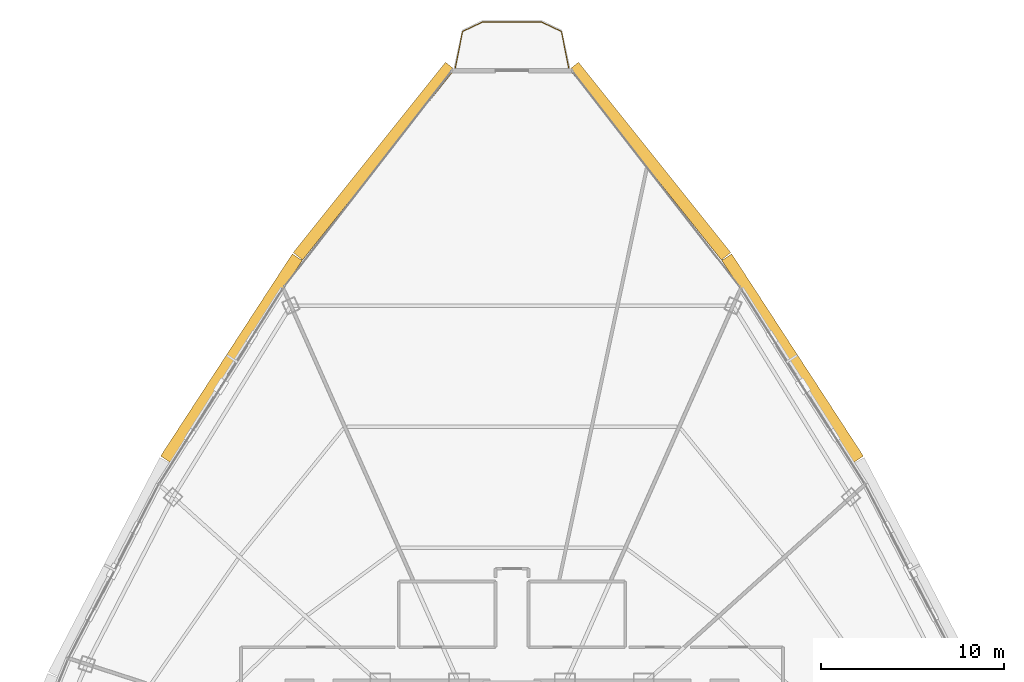
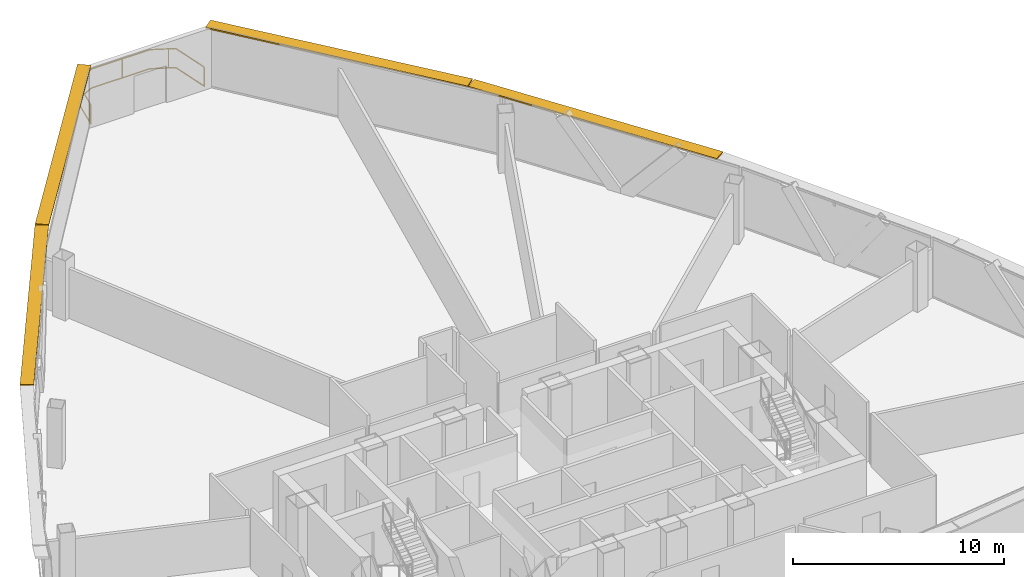
# One storey, part 33 of 33: 4 shading devices, 1 railing.
"""IFC4 building model written with IfcOpenShell, lengths in metres."""

from ifc_helpers import new_model, si_unit, direction, frame, origin, origin_2d, place, context, subcontext, project, spatial, rectangle, extrude, source, transform, mapped, material, layer, layer_set, type_object, element, save


model = new_model("IFC4")

# Units and contexts
model_context = context("Model", 3, precision=1e-05, world=origin(), true_north=direction((0.0, 1.0)))
body_context = subcontext(model_context, "Body", "Model", "MODEL_VIEW")
ifc_project = project(units=[si_unit("LENGTHUNIT", "METRE"), si_unit("AREAUNIT", "SQUARE_METRE"), si_unit("VOLUMEUNIT", "CUBIC_METRE"), si_unit("PLANEANGLEUNIT", "RADIAN"), si_unit("MASSUNIT", "GRAM", prefix="KILO"), si_unit("THERMODYNAMICTEMPERATUREUNIT", "KELVIN"), si_unit("POWERUNIT", "WATT")], contexts=[model_context])

# Site, building, storey
site_placement = place(None, origin())
site = spatial("IfcSite", under=ifc_project, at=site_placement, CompositionType="ELEMENT")
building_placement = place(site_placement, origin())
building = spatial("IfcBuilding", under=site, at=building_placement, Name="Yunzhuo Pagoda Commons", CompositionType="ELEMENT")
storey_placement = place(building_placement, frame((0.0, 0.0, 311.1298828125)))
storey = spatial("IfcBuildingStorey", under=building, at=storey_placement, Name="L78", CompositionType="ELEMENT", Elevation=311.1298828125)

# Railing
ifc_material = material(Name="Anodized aluminium 6063-T6", Category="aluminium")
railing_type = type_object("IfcRailingType", Name="RL-BAL1 Exterior Terrace & Balcony Balustrade 1150", PredefinedType="BALUSTRADE", material=ifc_material)
railing_placement = place(storey_placement, frame((51.110595703125, 73.916015625, 0.0)))
element("IfcRailing", 1, at=railing_placement, inside=storey, type_object=railing_type, Name="L78 corner balcony balustrade V3", PredefinedType="BALUSTRADE", context=body_context, shape_type="SweptSolid", body=[
    extrude(rectangle(XDim=0.048095703125, YDim=0.048095703125, at=origin_2d()), frame((0.0, 0.0, 1.1259765625), z_axis=(-0.194223156668, 0.980957371864, 0.0), x_axis=(-0.980957371864, -0.194223156668, 0.0)), (0.0, 0.0, 1.0), 2.05908203125),
    extrude(rectangle(XDim=0.048095703125, YDim=0.048095703125, at=origin_2d()), frame((0.0, 0.0, 0.02392578125), z_axis=(-0.194223156668, 0.980957371864, 0.0), x_axis=(-0.980957371864, -0.194223156668, 0.0)), (0.0, 0.0, 1.0), 2.05908203125),
    extrude(rectangle(XDim=0.048095703125, YDim=0.048095703125, at=origin_2d()), frame((-0.39990234375, 2.019775390625, 1.1259765625), z_axis=(-0.903221951483, 0.42917374845, 0.0), x_axis=(-0.42917374845, -0.903221951483, 0.0)), (0.0, 0.0, 1.0), 1.235107421875),
    extrude(rectangle(XDim=0.048095703125, YDim=0.048095703125, at=origin_2d()), frame((-0.39990234375, 2.019775390625, 0.02392578125), z_axis=(-0.903221951483, 0.42917374845, 0.0), x_axis=(-0.42917374845, -0.903221951483, 0.0)), (0.0, 0.0, 1.0), 1.235107421875),
    extrude(rectangle(XDim=0.048095703125, YDim=0.048095703125, at=origin_2d()), frame((-1.515380859375, 2.5498046875, 1.1259765625), z_axis=(-1.0, 0.0, 0.0), x_axis=(0.0, -1.0, 0.0)), (0.0, 0.0, 1.0), 3.1904296875),
    extrude(rectangle(XDim=0.048095703125, YDim=0.048095703125, at=origin_2d()), frame((-1.515380859375, 2.5498046875, 0.02392578125), z_axis=(-1.0, 0.0, 0.0), x_axis=(0.0, -1.0, 0.0)), (0.0, 0.0, 1.0), 3.1904296875),
    extrude(rectangle(XDim=0.048095703125, YDim=0.048095703125, at=origin_2d()), frame((-4.705810546875, 2.5498046875, 1.1259765625), z_axis=(-0.903221951483, -0.42917374845, 0.0), x_axis=(0.42917374845, -0.903221951483, 0.0)), (0.0, 0.0, 1.0), 1.235107421875),
    extrude(rectangle(XDim=0.048095703125, YDim=0.048095703125, at=origin_2d()), frame((-4.705810546875, 2.5498046875, 0.02392578125), z_axis=(-0.903221951483, -0.42917374845, 0.0), x_axis=(0.42917374845, -0.903221951483, 0.0)), (0.0, 0.0, 1.0), 1.235107421875),
    extrude(rectangle(XDim=0.048095703125, YDim=0.048095703125, at=origin_2d()), frame((-5.8212890625, 2.019775390625, 1.1259765625), z_axis=(-0.194223156668, -0.980957371864, 0.0), x_axis=(0.980957371864, -0.194223156668, 0.0)), (0.0, 0.0, 1.0), 2.05908203125),
    extrude(rectangle(XDim=0.048095703125, YDim=0.048095703125, at=origin_2d()), frame((-5.8212890625, 2.019775390625, 0.02392578125), z_axis=(-0.194223156668, -0.980957371864, 0.0), x_axis=(0.980957371864, -0.194223156668, 0.0)), (0.0, 0.0, 1.0), 2.05908203125),
    extrude(rectangle(XDim=0.0419921875, YDim=0.0419921875, at=origin_2d()), origin(), (0.0, 0.0, 1.0), 1.101806640625),
    extrude(rectangle(XDim=0.0419921875, YDim=0.0419921875, at=origin_2d()), frame((-0.7080078125, 2.166015625, 0.0)), (0.0, 0.0, 1.0), 1.101806640625),
    extrude(rectangle(XDim=0.0419921875, YDim=0.0419921875, at=origin_2d()), frame((-3.021484375, 2.5498046875, 0.0)), (0.0, 0.0, 1.0), 1.101806640625),
    extrude(rectangle(XDim=0.0419921875, YDim=0.0419921875, at=origin_2d()), frame((-5.35205078125, 2.24267578125, 0.0)), (0.0, 0.0, 1.0), 1.101806640625),
    extrude(rectangle(XDim=0.0419921875, YDim=0.0419921875, at=origin_2d()), frame((-6.1865234375, 0.175048828125, 0.0)), (0.0, 0.0, 1.0), 1.101806640625),
    extrude(rectangle(XDim=0.0419921875, YDim=0.0419921875, at=origin_2d()), frame((-6.22119140625, 0.0, 0.0)), (0.0, 0.0, 1.0), 1.101806640625),
])

# Shading devices
ifc_layer = layer(ifc_material, 0.080078125)
ifc_layer_set = layer_set([ifc_layer], Name="Anodized aluminium 6063-T6")
shading_device_type = type_object("IfcShadingDeviceType", Name="SH-SUN1 Pagoda Horizontal Sunshade Eave 650", PredefinedType="USERDEFINED", material=ifc_layer_set)
shared_shape_1 = source(origin(), body_context, "Body", "SweptSolid", [
    extrude(rectangle(XDim=13.35009765625, YDim=0.64990234375, at=origin_2d()), origin(), (0.0, 0.0, 1.0), 0.080078125),
])
for number, where, z_axis, x_axis, name in (
    (2, (55.559326171875, 68.8369140625, 3.39013671875), (0.0, 0.0, 1.0), (-0.624520471688, 0.781008438138, 0.0), "L78 horizontal pagoda sunshade eave F2.4"),
    (3, (40.440673828125, 68.8369140625, 3.39013671875), (0.0, 0.0, 1.0), (-0.624520471688, -0.781008438138, 0.0), "L78 horizontal pagoda sunshade eave F3.1"),
):
    element("IfcShadingDevice", number, at=place(storey_placement, frame(where, z_axis=z_axis, x_axis=x_axis)), inside=storey, type_object=shading_device_type, Name=name, ObjectType="SUNSHADE", PredefinedType="USERDEFINED", context=body_context, shape_type="MappedRepresentation", body=[
        mapped(shared_shape_1, transform((0.0, 0.0, 0.0), scale=1.0)),
    ])
shared_shape_2 = source(origin(), body_context, "Body", "SweptSolid", [
    extrude(rectangle(XDim=13.22314453125, YDim=0.64990234375, at=origin_2d()), origin(), (0.0, 0.0, 1.0), 0.080078125),
])
for number, where, z_axis, x_axis, name in (
    (4, (63.373779296875, 58.03271484375, 3.39013671875), (0.0, 0.0, 1.0), (-0.545853380833, 0.837880711458, 0.0), "L78 horizontal pagoda sunshade eave F2.3"),
    (5, (32.626220703125, 58.03271484375, 3.39013671875), (0.0, 0.0, 1.0), (-0.545853380833, -0.837880711458, 0.0), "L78 horizontal pagoda sunshade eave F3.2"),
):
    element("IfcShadingDevice", number, at=place(storey_placement, frame(where, z_axis=z_axis, x_axis=x_axis)), inside=storey, type_object=shading_device_type, Name=name, ObjectType="SUNSHADE", PredefinedType="USERDEFINED", context=body_context, shape_type="MappedRepresentation", body=[
        mapped(shared_shape_2, transform((0.0, 0.0, 0.0), scale=1.0)),
    ])

save(model, "model.ifc")
